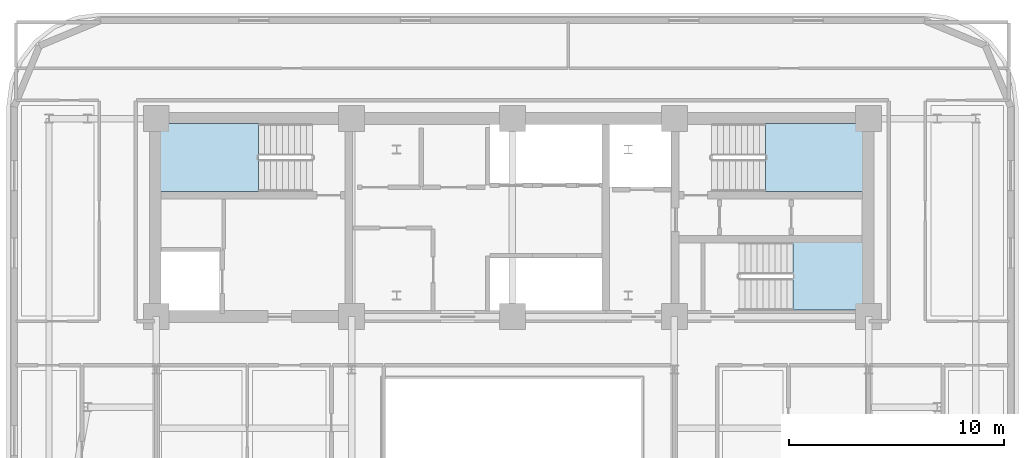
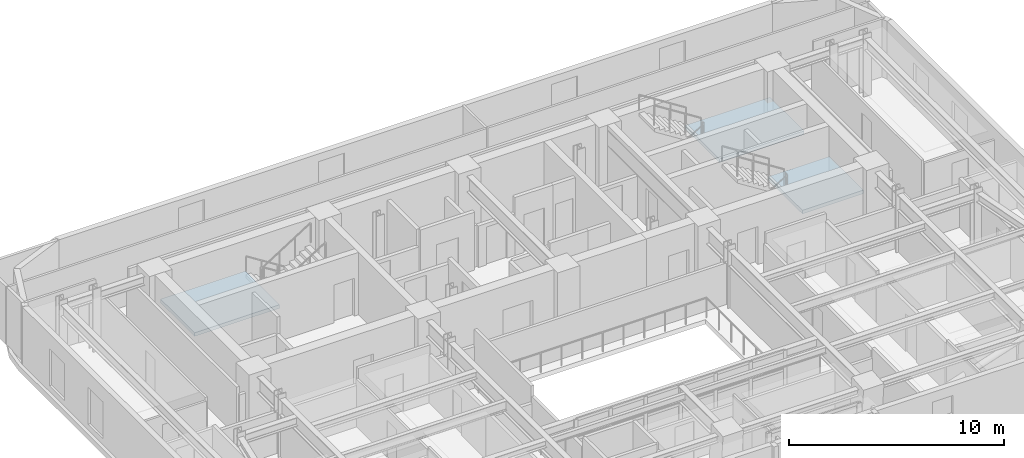
# One storey, part 4 of 13: 3 slabs, 3 elements without a shape of their own.
"""IFC4 building model written with IfcOpenShell, lengths in metres."""

from ifc_helpers import new_model, si_unit, direction, frame, origin, place, context, subcontext, project, spatial, polyline, outline, extrude, material, layer, layer_set, type_object, element, aggregate, save


model = new_model("IFC4")

# Units and contexts
model_context = context("Model", 3, precision=1e-05, world=origin(), true_north=direction((0.0, 1.0)))
body_context = subcontext(model_context, "Body", "Model", "MODEL_VIEW")
ifc_project = project(units=[si_unit("LENGTHUNIT", "METRE"), si_unit("AREAUNIT", "SQUARE_METRE"), si_unit("VOLUMEUNIT", "CUBIC_METRE"), si_unit("PLANEANGLEUNIT", "RADIAN"), si_unit("MASSUNIT", "GRAM", prefix="KILO")], contexts=[model_context])

# Site, building, storey
site_placement = place(None, origin())
site = spatial("IfcSite", under=ifc_project, at=site_placement, CompositionType="ELEMENT")
building_placement = place(site_placement, origin())
building = spatial("IfcBuilding", under=site, at=building_placement, Name="Zarnavel Station Tower", CompositionType="ELEMENT")
storey_placement = place(building_placement, frame((0.0, 0.0, 148.35009765625)))
storey = spatial("IfcBuildingStorey", under=building, at=storey_placement, Name="L40", CompositionType="ELEMENT", Elevation=148.35009765625)

# Stair, slab
ifc_material_1 = material(Name="Concrete C45/55", Category="concrete")
stair_type = type_object("IfcStairType", Name="ST_CORE_150", PredefinedType="HALF_TURN_STAIR", material=ifc_material_1)
stair_1_placement = place(storey_placement, origin())
stair_1 = element("IfcStair", 1, at=stair_1_placement, inside=storey, type_object=stair_type, Name="L40 Core Exit Stair ST1", PredefinedType="HALF_TURN_STAIR")
ifc_material_2 = material(Name="Concrete C45/55", Category="concrete")
ifc_layer = layer(ifc_material_2, 0.199951171875)
ifc_layer_set = layer_set([ifc_layer], Name="SL_STAIR_LAND_200")
slab_type = type_object("IfcSlabType", Name="SL_STAIR_LAND_200", PredefinedType="LANDING", material=ifc_layer_set)
slab_1_placement = place(storey_placement, frame((0.0, 0.0, 1.574951171875)))
slab_1 = element("IfcSlab", 2, at=slab_1_placement, type_object=slab_type, Name="ST1 landing 1", PredefinedType="LANDING", context=body_context, shape_type="SweptSolid", body=[
    extrude(outline(polyline([(16.9599609375, 36.820068359375), (12.39990234375, 36.820068359375), (12.39990234375, 33.659912109375), (16.9599609375, 33.659912109375), (16.9599609375, 36.820068359375)])), origin(), (0.0, 0.0, 1.0), 0.199951171875),
])
aggregate(stair_1, [slab_1])

stair_2_placement = place(storey_placement, origin())
stair_2 = element("IfcStair", 3, at=stair_2_placement, inside=storey, type_object=stair_type, Name="L40 Core Exit Stair ST2", PredefinedType="HALF_TURN_STAIR")
slab_2_placement = place(storey_placement, frame((0.0, 0.0, 1.574951171875)))
slab_2 = element("IfcSlab", 4, at=slab_2_placement, type_object=slab_type, Name="ST2 landing 1", PredefinedType="LANDING", context=body_context, shape_type="SweptSolid", body=[
    extrude(outline(polyline([(40.60009765625, 33.659912109375), (45.159912109375, 33.659912109375), (45.159912109375, 36.820068359375), (40.60009765625, 36.820068359375), (40.60009765625, 33.659912109375)])), origin(), (0.0, 0.0, 1.0), 0.199951171875),
])
aggregate(stair_2, [slab_2])

stair_3_placement = place(storey_placement, origin())
stair_3 = element("IfcStair", 5, at=stair_3_placement, inside=storey, type_object=stair_type, Name="L40 Core Exit Stair ST3", PredefinedType="HALF_TURN_STAIR")
slab_3_placement = place(storey_placement, frame((0.0, 0.0, 1.574951171875)))
slab_3 = element("IfcSlab", 6, at=slab_3_placement, type_object=slab_type, Name="ST3 landing 1", PredefinedType="LANDING", context=body_context, shape_type="SweptSolid", body=[
    extrude(outline(polyline([(41.8701171875, 28.1201171875), (45.14990234375, 28.1201171875), (45.14990234375, 31.280029296875), (41.8701171875, 31.280029296875), (41.8701171875, 28.1201171875)])), origin(), (0.0, 0.0, 1.0), 0.199951171875),
])
aggregate(stair_3, [slab_3])

save(model, "model.ifc")
